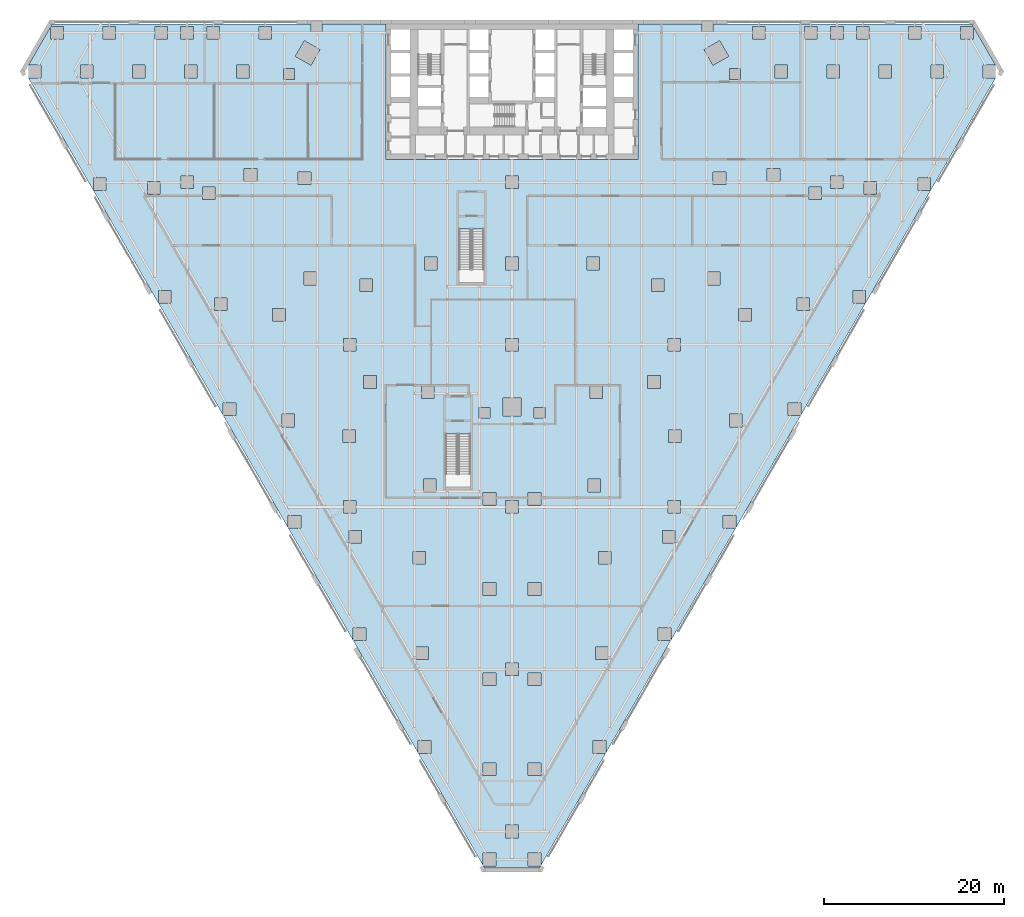
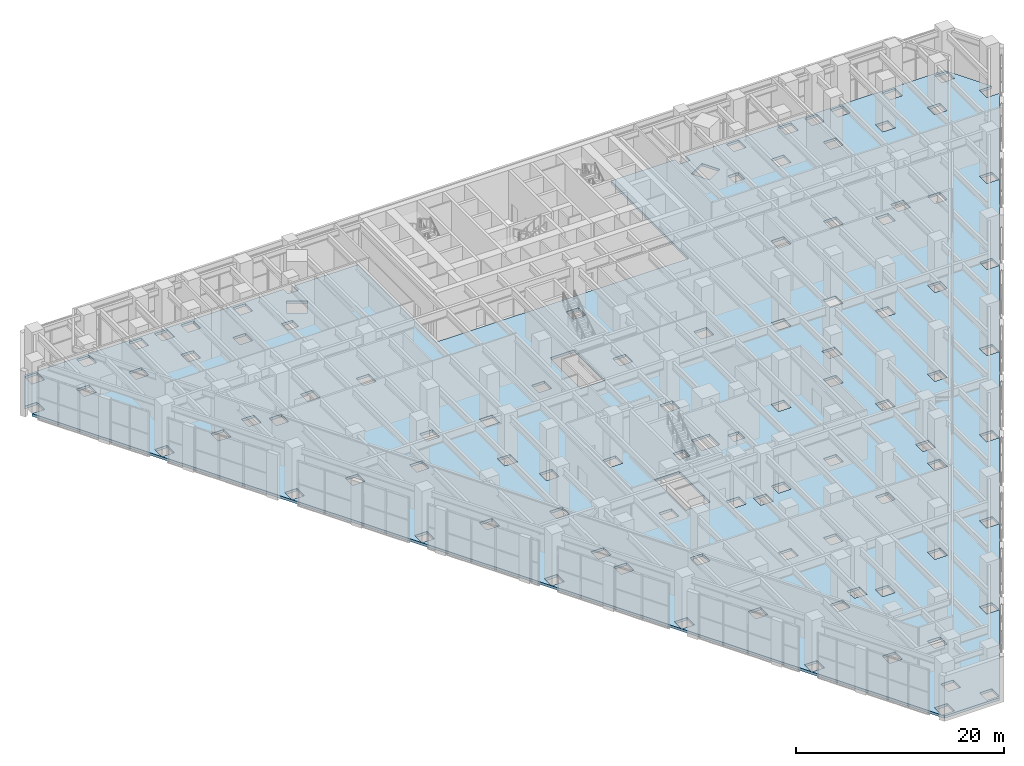
# One storey, part 26 of 37: 1 slab.
"""IFC4 building model written with IfcOpenShell, lengths in metres."""

from ifc_helpers import new_model, si_unit, direction, frame, origin, place, context, subcontext, project, spatial, polyline, outline, extrude, material, layer, layer_set, type_object, element, save


model = new_model("IFC4")

# Units and contexts
model_context = context("Model", 3, precision=1e-05, world=origin(), true_north=direction((0.0, 1.0)))
body_context = subcontext(model_context, "Body", "Model", "MODEL_VIEW")
ifc_project = project(units=[si_unit("LENGTHUNIT", "METRE"), si_unit("AREAUNIT", "SQUARE_METRE"), si_unit("VOLUMEUNIT", "CUBIC_METRE"), si_unit("PLANEANGLEUNIT", "RADIAN"), si_unit("MASSUNIT", "GRAM", prefix="KILO")], contexts=[model_context])

# Site, building, storey
site_placement = place(None, origin())
site = spatial("IfcSite", under=ifc_project, at=site_placement, CompositionType="ELEMENT")
building_placement = place(site_placement, origin())
building = spatial("IfcBuilding", under=site, at=building_placement, Name="Aloe Facet Convention Tower", CompositionType="ELEMENT")
storey_placement = place(building_placement, frame((0.0, 0.0, 7.5)))
storey = spatial("IfcBuildingStorey", under=building, at=storey_placement, Name="L01", CompositionType="ELEMENT", Elevation=7.5)

# Slab
ifc_material = material(Name="Concrete C35/45", Category="concrete")
ifc_layer = layer(ifc_material, 0.300048828125)
ifc_layer_set = layer_set([ifc_layer], Name="SF-FS-300")
slab_type = type_object("IfcSlabType", Name="SF-FS-300", PredefinedType="FLOOR", material=ifc_layer_set)
slab_placement = place(storey_placement, frame((0.0, 0.0, -0.300048828125)))
element("IfcSlab", 1, at=slab_placement, inside=storey, type_object=slab_type, Name="Floor slab L01-1", PredefinedType="FLOOR", context=body_context, shape_type="SweptSolid", body=[
    extrude(outline(polyline([(131.152099609375, 134.300048828125), (129.759033203125, 134.300048828125), (129.759033203125, 132.89990234375), (131.158935546875, 132.89990234375), (131.158935546875, 134.2880859375), (133.643798828125, 129.98388671875), (132.2509765625, 129.98388671875), (132.2509765625, 128.583984375), (133.6435546875, 128.583984375), (126.44189453125, 116.1103515625), (126.44189453125, 117.4990234375), (125.0419921875, 117.4990234375), (125.0419921875, 116.09912109375), (126.435302734375, 116.09912109375), (119.23388671875, 103.625732421875), (119.23388671875, 105.012939453125), (117.833984375, 105.012939453125), (117.833984375, 103.613037109375), (119.2265625, 103.613037109375), (112.02587890625, 91.14111328125), (112.02587890625, 92.528076171875), (110.6259765625, 92.528076171875), (110.6259765625, 91.1279296875), (112.018310546875, 91.1279296875), (104.81689453125, 78.65478515625), (104.81689453125, 80.04296875), (103.4169921875, 80.04296875), (103.4169921875, 78.64306640625), (104.810302734375, 78.64306640625), (97.60888671875, 66.170166015625), (97.60888671875, 67.556884765625), (96.208984375, 67.556884765625), (96.208984375, 66.156982421875), (97.601318359375, 66.156982421875), (90.39990234375, 53.683837890625), (90.39990234375, 55.072021484375), (89.0, 55.072021484375), (89.0, 53.672119140625), (90.393310546875, 53.672119140625), (83.19189453125, 41.19921875), (83.19189453125, 42.5859375), (81.7919921875, 42.5859375), (81.7919921875, 41.18603515625), (83.184326171875, 41.18603515625), (83.040283203125, 40.936279296875), (76.959716796875, 40.936279296875), (76.815673828125, 41.18603515625), (78.2080078125, 41.18603515625), (78.2080078125, 42.5859375), (76.80810546875, 42.5859375), (76.80810546875, 41.19921875), (69.606689453125, 53.672119140625), (71.0, 53.672119140625), (71.0, 55.072021484375), (69.60009765625, 55.072021484375), (69.60009765625, 53.683837890625), (62.398681640625, 66.156982421875), (63.791015625, 66.156982421875), (63.791015625, 67.556884765625), (62.39111328125, 67.556884765625), (62.39111328125, 66.170166015625), (55.189697265625, 78.64306640625), (56.5830078125, 78.64306640625), (56.5830078125, 80.04296875), (55.18310546875, 80.04296875), (55.18310546875, 78.65478515625), (47.981689453125, 91.1279296875), (49.3740234375, 91.1279296875), (49.3740234375, 92.528076171875), (47.97412109375, 92.528076171875), (47.97412109375, 91.14111328125), (40.7734375, 103.613037109375), (42.166015625, 103.613037109375), (42.166015625, 105.012939453125), (40.76611328125, 105.012939453125), (40.76611328125, 103.625732421875), (33.564697265625, 116.09912109375), (34.9580078125, 116.09912109375), (34.9580078125, 117.4990234375), (33.55810546875, 117.4990234375), (33.55810546875, 116.1103515625), (26.3564453125, 128.583984375), (27.7490234375, 128.583984375), (27.7490234375, 129.98388671875), (26.356201171875, 129.98388671875), (28.841064453125, 134.2880859375), (28.841064453125, 132.89990234375), (30.240966796875, 132.89990234375), (30.240966796875, 134.300048828125), (28.847900390625, 134.300048828125), (28.9921875, 134.550048828125), (57.699951171875, 134.550048828125), (57.699951171875, 133.699951171875), (58.89990234375, 133.699951171875), (58.89990234375, 134.550048828125), (66.0, 134.550048828125), (66.0, 131.949951171875), (66.0, 131.050048828125), (66.0, 129.35009765625), (66.0, 128.449951171875), (66.0, 126.449951171875), (66.0, 125.85009765625), (66.0, 124.689453125), (66.0, 123.639404296875), (66.0, 122.550048828125), (66.0, 121.5), (66.0, 119.550048828125), (68.699951171875, 119.550048828125), (69.300048828125, 119.550048828125), (72.10009765625, 119.550048828125), (73.14990234375, 119.550048828125), (74.300048828125, 119.550048828125), (75.35009765625, 119.550048828125), (76.433349609375, 119.550048828125), (77.4833984375, 119.550048828125), (78.566650390625, 119.550048828125), (79.61669921875, 119.550048828125), (80.699951171875, 119.550048828125), (81.75, 119.550048828125), (82.64990234375, 119.550048828125), (83.699951171875, 119.550048828125), (84.64990234375, 119.550048828125), (85.699951171875, 119.550048828125), (86.85009765625, 119.550048828125), (87.89990234375, 119.550048828125), (88.550048828125, 119.550048828125), (89.60009765625, 119.550048828125), (90.699951171875, 119.550048828125), (91.300048828125, 119.550048828125), (94.0, 119.550048828125), (94.0, 122.523681640625), (94.0, 123.57373046875), (94.0, 125.85009765625), (94.0, 126.449951171875), (94.0, 128.449951171875), (94.0, 129.35009765625), (94.0, 131.050048828125), (94.0, 131.949951171875), (94.0, 134.550048828125), (101.10009765625, 134.550048828125), (101.10009765625, 133.699951171875), (102.300048828125, 133.699951171875), (102.300048828125, 134.550048828125), (131.0078125, 134.550048828125), (131.152099609375, 134.300048828125)]), holes=[polyline([(54.465087890625, 91.284912109375), (54.465087890625, 89.885009765625), (55.864990234375, 89.885009765625), (55.864990234375, 91.284912109375), (54.465087890625, 91.284912109375)]), polyline([(53.4609375, 101.625), (54.861083984375, 101.625), (54.861083984375, 103.02490234375), (53.4609375, 103.02490234375), (53.4609375, 101.625)]), polyline([(47.01806640625, 104.18505859375), (47.01806640625, 102.784912109375), (48.41796875, 102.784912109375), (48.41796875, 104.18505859375), (47.01806640625, 104.18505859375)]), polyline([(56.925048828125, 105.625), (58.324951171875, 105.625), (58.324951171875, 107.02490234375), (56.925048828125, 107.02490234375), (56.925048828125, 105.625)]), polyline([(45.678955078125, 116.5048828125), (45.678955078125, 115.10498046875), (47.0791015625, 115.10498046875), (47.0791015625, 116.5048828125), (45.678955078125, 116.5048828125)]), polyline([(39.570068359375, 117.0849609375), (39.570068359375, 115.68505859375), (40.969970703125, 115.68505859375), (40.969970703125, 117.0849609375), (39.570068359375, 117.0849609375)]), polyline([(43.300048828125, 117.699951171875), (43.300048828125, 116.300048828125), (44.699951171875, 116.300048828125), (44.699951171875, 117.699951171875), (43.300048828125, 117.699951171875)]), polyline([(56.283935546875, 118.135009765625), (56.283935546875, 116.735107421875), (57.68408203125, 116.735107421875), (57.68408203125, 118.135009765625), (56.283935546875, 118.135009765625)]), polyline([(50.297119140625, 117.10498046875), (51.697021484375, 117.10498046875), (51.697021484375, 118.5048828125), (50.297119140625, 118.5048828125), (50.297119140625, 117.10498046875)]), polyline([(54.65625, 129.6279296875), (54.65625, 128.427978515625), (55.856201171875, 128.427978515625), (55.856201171875, 129.6279296875), (54.65625, 129.6279296875)]), polyline([(37.89599609375, 129.98388671875), (37.89599609375, 128.583984375), (39.2958984375, 128.583984375), (39.2958984375, 129.98388671875), (37.89599609375, 129.98388671875)]), polyline([(43.669921875, 128.583984375), (45.070068359375, 128.583984375), (45.070068359375, 129.98388671875), (43.669921875, 129.98388671875), (43.669921875, 128.583984375)]), polyline([(49.443115234375, 129.98388671875), (49.443115234375, 128.583984375), (50.843017578125, 128.583984375), (50.843017578125, 129.98388671875), (49.443115234375, 129.98388671875)]), polyline([(32.123046875, 128.583984375), (33.52294921875, 128.583984375), (33.52294921875, 129.98388671875), (32.123046875, 129.98388671875), (32.123046875, 128.583984375)]), polyline([(57.70166015625, 129.97607421875), (58.70166015625, 131.7080078125), (56.969482421875, 132.7080078125), (55.969482421875, 130.97607421875), (57.70166015625, 129.97607421875)]), polyline([(46.160888671875, 134.300048828125), (46.160888671875, 132.89990234375), (47.56103515625, 132.89990234375), (47.56103515625, 134.300048828125), (46.160888671875, 134.300048828125)]), polyline([(51.93505859375, 134.300048828125), (51.93505859375, 132.89990234375), (53.3349609375, 132.89990234375), (53.3349609375, 134.300048828125), (51.93505859375, 134.300048828125)]), polyline([(43.258056640625, 134.300048828125), (43.258056640625, 132.89990234375), (44.657958984375, 132.89990234375), (44.657958984375, 134.300048828125), (43.258056640625, 134.300048828125)]), polyline([(40.387939453125, 134.300048828125), (40.387939453125, 132.89990234375), (41.7880859375, 132.89990234375), (41.7880859375, 134.300048828125), (40.387939453125, 134.300048828125)]), polyline([(34.614013671875, 134.300048828125), (34.614013671875, 132.89990234375), (36.013916015625, 132.89990234375), (36.013916015625, 134.300048828125), (34.614013671875, 134.300048828125)]), polyline([(76.80810546875, 52.5859375), (76.80810546875, 51.18603515625), (78.2080078125, 51.18603515625), (78.2080078125, 52.5859375), (76.80810546875, 52.5859375)]), polyline([(76.80810546875, 62.5859375), (76.80810546875, 61.18603515625), (78.2080078125, 61.18603515625), (78.2080078125, 62.5859375), (76.80810546875, 62.5859375)]), polyline([(69.361083984375, 65.486083984375), (69.361083984375, 64.0859375), (70.760986328125, 64.0859375), (70.760986328125, 65.486083984375), (69.361083984375, 65.486083984375)]), polyline([(76.80810546875, 72.5859375), (76.80810546875, 71.18603515625), (78.2080078125, 71.18603515625), (78.2080078125, 72.5859375), (76.80810546875, 72.5859375)]), polyline([(69.02587890625, 76.06591796875), (69.02587890625, 74.666015625), (70.426025390625, 74.666015625), (70.426025390625, 76.06591796875), (69.02587890625, 76.06591796875)]), polyline([(61.9130859375, 78.385986328125), (61.9130859375, 76.986083984375), (63.31298828125, 76.986083984375), (63.31298828125, 78.385986328125), (61.9130859375, 78.385986328125)]), polyline([(61.300048828125, 81.699951171875), (61.300048828125, 80.300048828125), (62.699951171875, 80.300048828125), (62.699951171875, 81.699951171875), (61.300048828125, 81.699951171875)]), polyline([(76.80810546875, 82.5859375), (76.80810546875, 81.18603515625), (78.2080078125, 81.18603515625), (78.2080078125, 82.5859375), (76.80810546875, 82.5859375)]), polyline([(70.180908203125, 84.06591796875), (70.180908203125, 82.666015625), (71.5810546875, 82.666015625), (71.5810546875, 84.06591796875), (70.180908203125, 84.06591796875)]), polyline([(72.625, 83.199951171875), (75.375, 83.199951171875), (75.375, 89.098876953125), (72.625, 89.098876953125), (72.625, 83.199951171875)]), polyline([(61.242919921875, 89.544921875), (61.242919921875, 88.14501953125), (62.64306640625, 88.14501953125), (62.64306640625, 89.544921875), (61.242919921875, 89.544921875)]), polyline([(76.356201171875, 92.04248046875), (76.356201171875, 90.842529296875), (77.55615234375, 90.842529296875), (77.55615234375, 92.04248046875), (76.356201171875, 92.04248046875)]), polyline([(79.0, 93.086181640625), (79.0, 91.086181640625), (81.0, 91.086181640625), (81.0, 93.086181640625), (79.0, 93.086181640625)]), polyline([(69.967041015625, 94.43603515625), (69.967041015625, 93.035888671875), (71.366943359375, 93.035888671875), (71.366943359375, 94.43603515625), (69.967041015625, 94.43603515625)]), polyline([(63.552978515625, 95.544921875), (63.552978515625, 94.14501953125), (64.952880859375, 94.14501953125), (64.952880859375, 95.544921875), (63.552978515625, 95.544921875)]), polyline([(61.300048828125, 98.300048828125), (62.699951171875, 98.300048828125), (62.699951171875, 99.699951171875), (61.300048828125, 99.699951171875), (61.300048828125, 98.300048828125)]), polyline([(63.1259765625, 106.284912109375), (63.1259765625, 104.885009765625), (64.52587890625, 104.885009765625), (64.52587890625, 106.284912109375), (63.1259765625, 106.284912109375)]), polyline([(79.300048828125, 108.699951171875), (79.300048828125, 107.300048828125), (80.699951171875, 107.300048828125), (80.699951171875, 108.699951171875), (79.300048828125, 108.699951171875)]), polyline([(70.300048828125, 108.699951171875), (70.300048828125, 107.300048828125), (71.699951171875, 107.300048828125), (71.699951171875, 108.699951171875), (70.300048828125, 108.699951171875)]), polyline([(74.125, 111.798828125), (74.125, 105.89990234375), (76.875, 105.89990234375), (76.875, 111.798828125), (74.125, 111.798828125)]), polyline([(79.300048828125, 117.699951171875), (79.300048828125, 116.300048828125), (80.699951171875, 116.300048828125), (80.699951171875, 117.699951171875), (79.300048828125, 117.699951171875)]), polyline([(79.300048828125, 45.699951171875), (79.300048828125, 44.300048828125), (80.699951171875, 44.300048828125), (80.699951171875, 45.699951171875), (79.300048828125, 45.699951171875)]), polyline([(81.7919921875, 51.18603515625), (83.19189453125, 51.18603515625), (83.19189453125, 52.5859375), (81.7919921875, 52.5859375), (81.7919921875, 51.18603515625)]), polyline([(81.7919921875, 62.5859375), (81.7919921875, 61.18603515625), (83.19189453125, 61.18603515625), (83.19189453125, 62.5859375), (81.7919921875, 62.5859375)]), polyline([(79.300048828125, 62.300048828125), (80.699951171875, 62.300048828125), (80.699951171875, 63.699951171875), (79.300048828125, 63.699951171875), (79.300048828125, 62.300048828125)]), polyline([(89.239013671875, 65.486083984375), (89.239013671875, 64.0859375), (90.638916015625, 64.0859375), (90.638916015625, 65.486083984375), (89.239013671875, 65.486083984375)]), polyline([(81.7919921875, 71.18603515625), (83.19189453125, 71.18603515625), (83.19189453125, 72.5859375), (81.7919921875, 72.5859375), (81.7919921875, 71.18603515625)]), polyline([(89.573974609375, 76.06591796875), (89.573974609375, 74.666015625), (90.97412109375, 74.666015625), (90.97412109375, 76.06591796875), (89.573974609375, 76.06591796875)]), polyline([(96.68701171875, 78.385986328125), (96.68701171875, 76.986083984375), (98.0869140625, 76.986083984375), (98.0869140625, 78.385986328125), (96.68701171875, 78.385986328125)]), polyline([(79.300048828125, 80.300048828125), (80.699951171875, 80.300048828125), (80.699951171875, 81.699951171875), (79.300048828125, 81.699951171875), (79.300048828125, 80.300048828125)]), polyline([(97.300048828125, 81.699951171875), (97.300048828125, 80.300048828125), (98.699951171875, 80.300048828125), (98.699951171875, 81.699951171875), (97.300048828125, 81.699951171875)]), polyline([(81.7919921875, 82.5859375), (81.7919921875, 81.18603515625), (83.19189453125, 81.18603515625), (83.19189453125, 82.5859375), (81.7919921875, 82.5859375)]), polyline([(88.4189453125, 82.666015625), (89.819091796875, 82.666015625), (89.819091796875, 84.06591796875), (88.4189453125, 84.06591796875), (88.4189453125, 82.666015625)]), polyline([(97.35693359375, 89.544921875), (97.35693359375, 88.14501953125), (98.757080078125, 88.14501953125), (98.757080078125, 89.544921875), (97.35693359375, 89.544921875)]), polyline([(82.44384765625, 92.04248046875), (82.44384765625, 90.842529296875), (83.643798828125, 90.842529296875), (83.643798828125, 92.04248046875), (82.44384765625, 92.04248046875)]), polyline([(88.633056640625, 93.035888671875), (90.032958984375, 93.035888671875), (90.032958984375, 94.43603515625), (88.633056640625, 94.43603515625), (88.633056640625, 93.035888671875)]), polyline([(95.047119140625, 95.544921875), (95.047119140625, 94.14501953125), (96.447021484375, 94.14501953125), (96.447021484375, 95.544921875), (95.047119140625, 95.544921875)]), polyline([(97.300048828125, 99.699951171875), (97.300048828125, 98.300048828125), (98.699951171875, 98.300048828125), (98.699951171875, 99.699951171875), (97.300048828125, 99.699951171875)]), polyline([(79.300048828125, 99.699951171875), (79.300048828125, 98.300048828125), (80.699951171875, 98.300048828125), (80.699951171875, 99.699951171875), (79.300048828125, 99.699951171875)]), polyline([(95.47412109375, 106.284912109375), (95.47412109375, 104.885009765625), (96.8740234375, 104.885009765625), (96.8740234375, 106.284912109375), (95.47412109375, 106.284912109375)]), polyline([(101.675048828125, 107.02490234375), (101.675048828125, 105.625), (103.074951171875, 105.625), (103.074951171875, 107.02490234375), (101.675048828125, 107.02490234375)]), polyline([(88.300048828125, 108.699951171875), (88.300048828125, 107.300048828125), (89.699951171875, 107.300048828125), (89.699951171875, 108.699951171875), (88.300048828125, 108.699951171875)]), polyline([(102.29833984375, 129.97607421875), (104.030517578125, 130.97607421875), (103.030517578125, 132.7080078125), (101.29833984375, 131.7080078125), (102.29833984375, 129.97607421875)]), polyline([(104.135009765625, 89.885009765625), (105.534912109375, 89.885009765625), (105.534912109375, 91.284912109375), (104.135009765625, 91.284912109375), (104.135009765625, 89.885009765625)]), polyline([(105.138916015625, 103.02490234375), (105.138916015625, 101.625), (106.5390625, 101.625), (106.5390625, 103.02490234375), (105.138916015625, 103.02490234375)]), polyline([(111.58203125, 102.784912109375), (112.98193359375, 102.784912109375), (112.98193359375, 104.18505859375), (111.58203125, 104.18505859375), (111.58203125, 102.784912109375)]), polyline([(112.9208984375, 116.5048828125), (112.9208984375, 115.10498046875), (114.321044921875, 115.10498046875), (114.321044921875, 116.5048828125), (112.9208984375, 116.5048828125)]), polyline([(119.030029296875, 117.0849609375), (119.030029296875, 115.68505859375), (120.429931640625, 115.68505859375), (120.429931640625, 117.0849609375), (119.030029296875, 117.0849609375)]), polyline([(115.300048828125, 117.699951171875), (115.300048828125, 116.300048828125), (116.699951171875, 116.300048828125), (116.699951171875, 117.699951171875), (115.300048828125, 117.699951171875)]), polyline([(102.31591796875, 118.135009765625), (102.31591796875, 116.735107421875), (103.716064453125, 116.735107421875), (103.716064453125, 118.135009765625), (102.31591796875, 118.135009765625)]), polyline([(108.302978515625, 117.10498046875), (109.702880859375, 117.10498046875), (109.702880859375, 118.5048828125), (108.302978515625, 118.5048828125), (108.302978515625, 117.10498046875)]), polyline([(104.143798828125, 129.6279296875), (104.143798828125, 128.427978515625), (105.34375, 128.427978515625), (105.34375, 129.6279296875), (104.143798828125, 129.6279296875)]), polyline([(126.47705078125, 128.583984375), (127.876953125, 128.583984375), (127.876953125, 129.98388671875), (126.47705078125, 129.98388671875), (126.47705078125, 128.583984375)]), polyline([(120.7041015625, 129.98388671875), (120.7041015625, 128.583984375), (122.10400390625, 128.583984375), (122.10400390625, 129.98388671875), (120.7041015625, 129.98388671875)]), polyline([(114.929931640625, 129.98388671875), (114.929931640625, 128.583984375), (116.330078125, 128.583984375), (116.330078125, 129.98388671875), (114.929931640625, 129.98388671875)]), polyline([(109.156982421875, 128.583984375), (110.556884765625, 128.583984375), (110.556884765625, 129.98388671875), (109.156982421875, 129.98388671875), (109.156982421875, 128.583984375)]), polyline([(118.2119140625, 134.300048828125), (118.2119140625, 132.89990234375), (119.612060546875, 132.89990234375), (119.612060546875, 134.300048828125), (118.2119140625, 134.300048828125)]), polyline([(115.342041015625, 134.300048828125), (115.342041015625, 132.89990234375), (116.741943359375, 132.89990234375), (116.741943359375, 134.300048828125), (115.342041015625, 134.300048828125)]), polyline([(123.986083984375, 134.300048828125), (123.986083984375, 132.89990234375), (125.385986328125, 132.89990234375), (125.385986328125, 134.300048828125), (123.986083984375, 134.300048828125)]), polyline([(112.43896484375, 134.300048828125), (112.43896484375, 132.89990234375), (113.839111328125, 132.89990234375), (113.839111328125, 134.300048828125), (112.43896484375, 134.300048828125)]), polyline([(106.6650390625, 134.300048828125), (106.6650390625, 132.89990234375), (108.06494140625, 132.89990234375), (108.06494140625, 134.300048828125), (106.6650390625, 134.300048828125)])]), origin(), (0.0, 0.0, 1.0), 0.300048828125),
])

save(model, "model.ifc")
